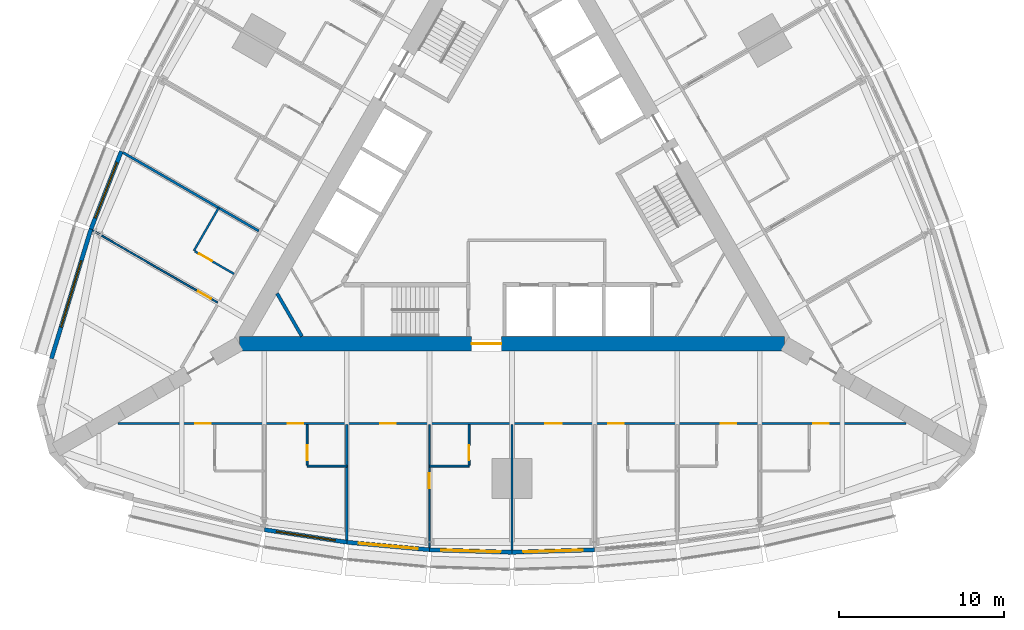
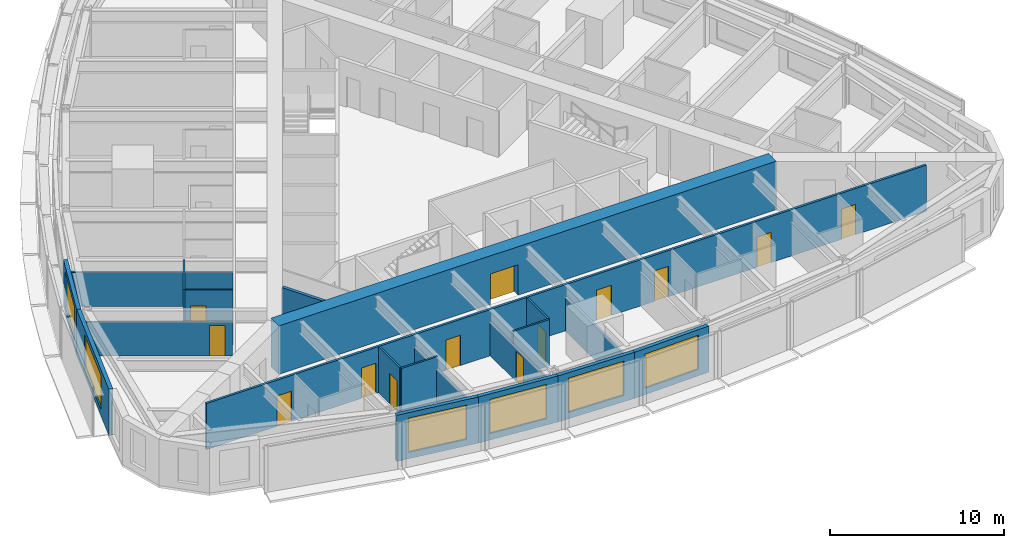
# One storey, part 8 of 14: 20 walls, 13 doors, 6 windows, 19 openings.
"""IFC4 building model written with IfcOpenShell, lengths in metres."""

from ifc_helpers import new_model, si_unit, direction, frame, frame_2d, origin, place, context, subcontext, project, spatial, rectangle, extrude, material, layer, layer_set, type_object, element, fill, save


model = new_model("IFC4")

# Units and contexts
model_context = context("Model", 3, precision=1e-05, world=origin(), true_north=direction((0.0, 1.0)))
body_context = subcontext(model_context, "Body", "Model", "MODEL_VIEW")
ifc_project = project(units=[si_unit("LENGTHUNIT", "METRE"), si_unit("AREAUNIT", "SQUARE_METRE"), si_unit("VOLUMEUNIT", "CUBIC_METRE"), si_unit("PLANEANGLEUNIT", "RADIAN"), si_unit("MASSUNIT", "GRAM", prefix="KILO")], contexts=[model_context])

# Site, building, storey
site_placement = place(None, origin())
site = spatial("IfcSite", under=ifc_project, at=site_placement, CompositionType="ELEMENT")
building_placement = place(site_placement, origin())
building = spatial("IfcBuilding", under=site, at=building_placement, Name="Trikona Tower", CompositionType="ELEMENT")
storey_placement = place(building_placement, frame((0.0, 0.0, 72.699951171875)))
storey = spatial("IfcBuildingStorey", under=building, at=storey_placement, Name="L18", CompositionType="ELEMENT", Elevation=72.699951171875)

# Wall
ifc_material_1 = material(Name="Metal stud and cement board", Category="gypsum")
ifc_layer_1 = layer(ifc_material_1, 0.1201171875)
ifc_layer_set_1 = layer_set([ifc_layer_1], Name="Bathroom wall 120")
wall_type_1 = type_object("IfcWallType", Name="Bathroom wall 120", PredefinedType="PLUMBINGWALL", material=ifc_layer_set_1)
wall_1_placement = place(storey_placement, frame((-12.39990234375, -16.92626953125, 0.0), z_axis=(0.0, 0.0, 1.0), x_axis=(1.0, 0.0, 0.0)))
element("IfcWall", 1, at=wall_1_placement, inside=storey, type_object=wall_type_1, Name="Bathroom wall 1802", PredefinedType="PLUMBINGWALL", context=body_context, shape_type="SweptSolid", body=[
    extrude(rectangle(XDim=2.39990234375, YDim=0.1201171875, at=frame_2d((1.199951171875, 0.0))), origin(), (0.0, 0.0, 1.0), 3.235107421875),
])

# Wall, opening, door
wall_2_placement = place(storey_placement, frame((-12.39990234375, -14.42626953125, 0.0), z_axis=(0.0, 0.0, 1.0), x_axis=(0.0, -1.0, 0.0)))
wall_2 = element("IfcWall", 2, at=wall_2_placement, inside=storey, type_object=wall_type_1, Name="Bathroom wall 1802", PredefinedType="PLUMBINGWALL", context=body_context, shape_type="SweptSolid", body=[
    extrude(rectangle(XDim=2.43994140625, YDim=0.1201171875, at=frame_2d((1.219970703125, 0.0))), origin(), (0.0, 0.0, 1.0), 3.235107421875),
])
opening_1_placement = place(wall_2_placement, frame((1.25, 0.0, 0.0)))
opening_1 = element("IfcOpeningElement", 3, at=opening_1_placement, cuts=wall_2, Name="Opening D2", PredefinedType="OPENING", context=body_context, shape_type="SweptSolid", body=[
    extrude(rectangle(XDim=0.89990234375, YDim=2.1298828125, at=frame_2d((0.449951171875, 1.06494140625))), frame((0.0, 0.070068359375, 0.0), z_axis=(0.0, -1.0, 0.0), x_axis=(1.0, 0.0, 0.0)), (0.0, 0.0, 1.0), 0.14013671875),
])
ifc_material_2 = material(Name="Steel door frame with solid-core timber leaf", Category="steel")
door_type_1 = type_object("IfcDoorType", Name="Bathroom door 900x2130", OperationType="SLIDING_TO_LEFT", PredefinedType="DOOR", material=ifc_material_2)
door_1_placement = place(opening_1_placement, origin())
door_1 = element("IfcDoor", 4, at=door_1_placement, inside=storey, type_object=door_type_1, Name="Bathroom door 1802", OperationType="SLIDING_TO_LEFT", OverallHeight=2.1298828125, OverallWidth=0.89990234375, PredefinedType="DOOR", context=body_context, shape_type="SweptSolid", body=[
    extrude(rectangle(XDim=0.89990234375, YDim=2.1298828125, at=frame_2d((0.449951171875, 1.06494140625))), frame((0.0, 0.02490234375, 0.0), z_axis=(0.0, -1.0, 0.0), x_axis=(1.0, 0.0, 0.0)), (0.0, 0.0, 1.0), 0.050048828125),
])
fill(opening_1, door_1)

# Wall
wall_3_placement = place(storey_placement, frame((-5.0, -16.92626953125, 0.0), z_axis=(0.0, 0.0, 1.0), x_axis=(1.0, 0.0, 0.0)))
element("IfcWall", 5, at=wall_3_placement, inside=storey, type_object=wall_type_1, Name="Bathroom wall 1803.1", PredefinedType="PLUMBINGWALL", context=body_context, shape_type="SweptSolid", body=[
    extrude(rectangle(XDim=2.39990234375, YDim=0.1201171875, at=frame_2d((1.199951171875, 0.0))), origin(), (0.0, 0.0, 1.0), 3.235107421875),
])

# Wall, opening, door
wall_4_placement = place(storey_placement, frame((-2.60009765625, -14.42626953125, 0.0), z_axis=(0.0, 0.0, 1.0), x_axis=(0.0, -1.0, 0.0)))
wall_4 = element("IfcWall", 6, at=wall_4_placement, inside=storey, type_object=wall_type_1, Name="Bathroom wall 1803.1", PredefinedType="PLUMBINGWALL", context=body_context, shape_type="SweptSolid", body=[
    extrude(rectangle(XDim=2.43994140625, YDim=0.1201171875, at=frame_2d((1.219970703125, 0.0))), origin(), (0.0, 0.0, 1.0), 3.235107421875),
])
opening_2_placement = place(wall_4_placement, frame((1.25, 0.0, 0.0)))
opening_2 = element("IfcOpeningElement", 7, at=opening_2_placement, cuts=wall_4, Name="Opening D2", PredefinedType="OPENING", context=body_context, shape_type="SweptSolid", body=[
    extrude(rectangle(XDim=0.89990234375, YDim=2.1298828125, at=frame_2d((0.449951171875, 1.06494140625))), frame((0.0, 0.070068359375, 0.0), z_axis=(0.0, -1.0, 0.0), x_axis=(1.0, 0.0, 0.0)), (0.0, 0.0, 1.0), 0.14013671875),
])
door_2_placement = place(opening_2_placement, origin())
door_2 = element("IfcDoor", 8, at=door_2_placement, inside=storey, type_object=door_type_1, Name="Bathroom door 1803.1", OperationType="SLIDING_TO_LEFT", OverallHeight=2.1298828125, OverallWidth=0.89990234375, PredefinedType="DOOR", context=body_context, shape_type="SweptSolid", body=[
    extrude(rectangle(XDim=0.89990234375, YDim=2.1298828125, at=frame_2d((0.449951171875, 1.06494140625))), frame((0.0, 0.02490234375, 0.0), z_axis=(0.0, -1.0, 0.0), x_axis=(1.0, 0.0, 0.0)), (0.0, 0.0, 1.0), 0.050048828125),
])
fill(opening_2, door_2)

# Wall
wall_5_placement = place(storey_placement, frame((-17.75341796875, -1.297119140625, 0.0), z_axis=(0.0, 0.0, 1.0), x_axis=(-0.499990139034, -0.866031096941, 0.0)))
element("IfcWall", 9, at=wall_5_placement, inside=storey, type_object=wall_type_1, Name="Bathroom wall 1816.1", PredefinedType="PLUMBINGWALL", context=body_context, shape_type="SweptSolid", body=[
    extrude(rectangle(XDim=3.0, YDim=0.1201171875, at=frame_2d((1.5, 0.0))), origin(), (0.0, 0.0, 1.0), 3.235107421875),
])

# Wall, opening, door
wall_6_placement = place(storey_placement, frame((-16.82861328125, -5.295166015625, 0.0), z_axis=(0.0, 0.0, 1.0), x_axis=(-0.866035715982, 0.499982138324, 0.0)))
wall_6 = element("IfcWall", 10, at=wall_6_placement, inside=storey, type_object=wall_type_1, Name="Bathroom wall 1816.1", PredefinedType="PLUMBINGWALL", context=body_context, shape_type="SweptSolid", body=[
    extrude(rectangle(XDim=2.73974609375, YDim=0.1201171875, at=frame_2d((1.369873046875, 0.0))), origin(), (0.0, 0.0, 1.0), 3.235107421875),
])
opening_3_placement = place(wall_6_placement, frame((1.550048828125, 0.0, 0.0)))
opening_3 = element("IfcOpeningElement", 11, at=opening_3_placement, cuts=wall_6, Name="Opening D2", PredefinedType="OPENING", context=body_context, shape_type="SweptSolid", body=[
    extrude(rectangle(XDim=0.89990234375, YDim=2.1298828125, at=frame_2d((0.449951171875, 1.06494140625))), frame((0.0, 0.070068359375, 0.0), z_axis=(0.0, -1.0, 0.0), x_axis=(1.0, 0.0, 0.0)), (0.0, 0.0, 1.0), 0.14013671875),
])
door_3_placement = place(opening_3_placement, origin())
door_3 = element("IfcDoor", 12, at=door_3_placement, inside=storey, type_object=door_type_1, Name="Bathroom door 1816.1", OperationType="SLIDING_TO_LEFT", OverallHeight=2.1298828125, OverallWidth=0.89990234375, PredefinedType="DOOR", context=body_context, shape_type="SweptSolid", body=[
    extrude(rectangle(XDim=0.89990234375, YDim=2.1298828125, at=frame_2d((0.449951171875, 1.06494140625))), frame((0.0, 0.02490234375, 0.0), z_axis=(0.0, -1.0, 0.0), x_axis=(1.0, 0.0, 0.0)), (0.0, 0.0, 1.0), 0.050048828125),
])
fill(opening_3, door_3)

ifc_material_3 = material(Name="Concrete f'c 10000 psi", Category="concrete")
ifc_layer_2 = layer(ifc_material_3, 0.89990234375)
ifc_layer_set_2 = layer_set([ifc_layer_2], Name="Core wall 900")
wall_type_2 = type_object("IfcWallType", Name="Core wall 900", PredefinedType="SHEAR", material=ifc_layer_set_2)
wall_7_placement = place(storey_placement, frame((-16.5, -9.5263671875, 0.0), z_axis=(0.0, 0.0, 1.0), x_axis=(1.0, 0.0, 0.0)))
wall_7 = element("IfcWall", 13, at=wall_7_placement, inside=storey, type_object=wall_type_2, Name="Core wall A", PredefinedType="SHEAR", context=body_context, shape_type="SweptSolid", body=[
    extrude(rectangle(XDim=33.0, YDim=0.89990234375, at=frame_2d((16.5, 0.0))), origin(), (0.0, 0.0, 1.0), 3.400146484375),
])
opening_4_placement = place(wall_7_placement, frame((14.050048828125, 0.0, 0.0)))
opening_4 = element("IfcOpeningElement", 14, at=opening_4_placement, cuts=wall_7, Name="Opening D6", PredefinedType="OPENING", context=body_context, shape_type="SweptSolid", body=[
    extrude(rectangle(XDim=1.800048828125, YDim=2.1298828125, at=frame_2d((0.89990234375, 1.06494140625))), frame((0.0, 0.4599609375, 0.0), z_axis=(0.0, -1.0, 0.0), x_axis=(1.0, 0.0, 0.0)), (0.0, 0.0, 1.0), 0.919921875),
])
ifc_material_4 = material(Name="Hollow metal door and frame", Category="steel")
door_type_2 = type_object("IfcDoorType", Name="Lobby door pair 1800x2130", OperationType="DOUBLE_DOOR_SINGLE_SWING", PredefinedType="DOOR", material=ifc_material_4)
door_4_placement = place(opening_4_placement, origin())
door_4 = element("IfcDoor", 15, at=door_4_placement, inside=storey, type_object=door_type_2, Name="Fire service lift lobby door", OperationType="DOUBLE_DOOR_SINGLE_SWING", OverallHeight=2.1298828125, OverallWidth=1.800048828125, PredefinedType="DOOR", context=body_context, shape_type="SweptSolid", body=[
    extrude(rectangle(XDim=1.800048828125, YDim=2.1298828125, at=frame_2d((0.89990234375, 1.06494140625))), frame((0.0, 0.02490234375, 0.0), z_axis=(0.0, -1.0, 0.0), x_axis=(1.0, 0.0, 0.0)), (0.0, 0.0, 1.0), 0.050048828125),
])
fill(opening_4, door_4)

# Wall, openings, doors
ifc_material_5 = material(Name="Metal stud and gypsum board, 1-hour", Category="gypsum")
ifc_layer_3 = layer(ifc_material_5, 0.14990234375)
ifc_layer_set_3 = layer_set([ifc_layer_3], Name="Corridor wall 150")
wall_type_3 = type_object("IfcWallType", Name="Corridor wall 150", PredefinedType="PARTITIONING", material=ifc_layer_set_3)
wall_8_placement = place(storey_placement, frame((-23.857177734375, -14.351318359375, 0.0), z_axis=(0.0, 0.0, 1.0), x_axis=(1.0, 0.0, 0.0)))
wall_8 = element("IfcWall", 16, at=wall_8_placement, inside=storey, type_object=wall_type_3, Name="Corridor wall L18-1", PredefinedType="PARTITIONING", context=body_context, shape_type="SweptSolid", body=[
    extrude(rectangle(XDim=47.71435546875, YDim=0.14990234375, at=frame_2d((23.857177734375, 0.0))), origin(), (0.0, 0.0, 1.0), 3.235107421875),
])
opening_5_placement = place(wall_8_placement, frame((4.68212890625, 0.0, 0.0)))
opening_5 = element("IfcOpeningElement", 17, at=opening_5_placement, cuts=wall_8, Name="Opening D1", PredefinedType="OPENING", context=body_context, shape_type="SweptSolid", body=[
    extrude(rectangle(XDim=0.949951171875, YDim=2.1298828125, at=frame_2d((0.47509765625, 1.06494140625))), frame((0.0, 0.0849609375, 0.0), z_axis=(0.0, -1.0, 0.0), x_axis=(1.0, 0.0, 0.0)), (0.0, 0.0, 1.0), 0.169921875),
])
opening_6_placement = place(wall_8_placement, frame((10.281982421875, 0.0, 0.0)))
opening_6 = element("IfcOpeningElement", 18, at=opening_6_placement, cuts=wall_8, Name="Opening D1", PredefinedType="OPENING", context=body_context, shape_type="SweptSolid", body=[
    extrude(rectangle(XDim=0.949951171875, YDim=2.1298828125, at=frame_2d((0.47509765625, 1.06494140625))), frame((0.0, 0.0849609375, 0.0), z_axis=(0.0, -1.0, 0.0), x_axis=(1.0, 0.0, 0.0)), (0.0, 0.0, 1.0), 0.169921875),
])
opening_7_placement = place(wall_8_placement, frame((15.882080078125, 0.0, 0.0)))
opening_7 = element("IfcOpeningElement", 19, at=opening_7_placement, cuts=wall_8, Name="Opening D1", PredefinedType="OPENING", context=body_context, shape_type="SweptSolid", body=[
    extrude(rectangle(XDim=0.949951171875, YDim=2.1298828125, at=frame_2d((0.47509765625, 1.06494140625))), frame((0.0, 0.0849609375, 0.0), z_axis=(0.0, -1.0, 0.0), x_axis=(1.0, 0.0, 0.0)), (0.0, 0.0, 1.0), 0.169921875),
])
opening_8_placement = place(wall_8_placement, frame((25.857177734375, 0.0, 0.0)))
opening_8 = element("IfcOpeningElement", 20, at=opening_8_placement, cuts=wall_8, Name="Opening D3", PredefinedType="OPENING", context=body_context, shape_type="SweptSolid", body=[
    extrude(rectangle(XDim=1.0, YDim=2.1298828125, at=frame_2d((0.5, 1.06494140625))), frame((0.0, 0.0849609375, 0.0), z_axis=(0.0, -1.0, 0.0), x_axis=(1.0, 0.0, 0.0)), (0.0, 0.0, 1.0), 0.169921875),
])
opening_9_placement = place(wall_8_placement, frame((29.68212890625, 0.0, 0.0)))
opening_9 = element("IfcOpeningElement", 21, at=opening_9_placement, cuts=wall_8, Name="Opening D1", PredefinedType="OPENING", context=body_context, shape_type="SweptSolid", body=[
    extrude(rectangle(XDim=0.949951171875, YDim=2.1298828125, at=frame_2d((0.47509765625, 1.06494140625))), frame((0.0, 0.0849609375, 0.0), z_axis=(0.0, -1.0, 0.0), x_axis=(1.0, 0.0, 0.0)), (0.0, 0.0, 1.0), 0.169921875),
])
opening_10_placement = place(wall_8_placement, frame((36.482177734375, 0.0, 0.0)))
opening_10 = element("IfcOpeningElement", 22, at=opening_10_placement, cuts=wall_8, Name="Opening D1", PredefinedType="OPENING", context=body_context, shape_type="SweptSolid", body=[
    extrude(rectangle(XDim=0.949951171875, YDim=2.1298828125, at=frame_2d((0.47509765625, 1.06494140625))), frame((0.0, 0.0849609375, 0.0), z_axis=(0.0, -1.0, 0.0), x_axis=(1.0, 0.0, 0.0)), (0.0, 0.0, 1.0), 0.169921875),
])
opening_11_placement = place(wall_8_placement, frame((42.08203125, 0.0, 0.0)))
opening_11 = element("IfcOpeningElement", 23, at=opening_11_placement, cuts=wall_8, Name="Opening D1", PredefinedType="OPENING", context=body_context, shape_type="SweptSolid", body=[
    extrude(rectangle(XDim=0.949951171875, YDim=2.1298828125, at=frame_2d((0.47509765625, 1.06494140625))), frame((0.0, 0.0849609375, 0.0), z_axis=(0.0, -1.0, 0.0), x_axis=(1.0, 0.0, 0.0)), (0.0, 0.0, 1.0), 0.169921875),
])
ifc_material_6 = material(Name="Steel door frame with solid-core timber leaf", Category="steel")
door_type_3 = type_object("IfcDoorType", Name="Guest room door 950x2130", OperationType="SINGLE_SWING_LEFT", PredefinedType="DOOR", material=ifc_material_6)
door_5_placement = place(opening_5_placement, origin())
door_5 = element("IfcDoor", 24, at=door_5_placement, inside=storey, type_object=door_type_3, Name="Room door 1801", OperationType="SINGLE_SWING_LEFT", OverallHeight=2.1298828125, OverallWidth=0.949951171875, PredefinedType="DOOR", context=body_context, shape_type="SweptSolid", body=[
    extrude(rectangle(XDim=0.949951171875, YDim=2.1298828125, at=frame_2d((0.47509765625, 1.06494140625))), frame((0.0, 0.02490234375, 0.0), z_axis=(0.0, -1.0, 0.0), x_axis=(1.0, 0.0, 0.0)), (0.0, 0.0, 1.0), 0.050048828125),
])
fill(opening_5, door_5)
door_6_placement = place(opening_6_placement, origin())
door_6 = element("IfcDoor", 25, at=door_6_placement, inside=storey, type_object=door_type_3, Name="Room door 1802", OperationType="SINGLE_SWING_RIGHT", OverallHeight=2.1298828125, OverallWidth=0.949951171875, PredefinedType="DOOR", context=body_context, shape_type="SweptSolid", body=[
    extrude(rectangle(XDim=0.949951171875, YDim=2.1298828125, at=frame_2d((0.47509765625, 1.06494140625))), frame((0.0, 0.02490234375, 0.0), z_axis=(0.0, -1.0, 0.0), x_axis=(1.0, 0.0, 0.0)), (0.0, 0.0, 1.0), 0.050048828125),
])
fill(opening_6, door_6)
door_7_placement = place(opening_7_placement, origin())
door_7 = element("IfcDoor", 26, at=door_7_placement, inside=storey, type_object=door_type_3, Name="Room door 1803", OperationType="SINGLE_SWING_LEFT", OverallHeight=2.1298828125, OverallWidth=0.949951171875, PredefinedType="DOOR", context=body_context, shape_type="SweptSolid", body=[
    extrude(rectangle(XDim=0.949951171875, YDim=2.1298828125, at=frame_2d((0.47509765625, 1.06494140625))), frame((0.0, 0.02490234375, 0.0), z_axis=(0.0, -1.0, 0.0), x_axis=(1.0, 0.0, 0.0)), (0.0, 0.0, 1.0), 0.050048828125),
])
fill(opening_7, door_7)
door_8_placement = place(opening_9_placement, origin())
door_8 = element("IfcDoor", 27, at=door_8_placement, inside=storey, type_object=door_type_3, Name="Room door 1804", OperationType="SINGLE_SWING_LEFT", OverallHeight=2.1298828125, OverallWidth=0.949951171875, PredefinedType="DOOR", context=body_context, shape_type="SweptSolid", body=[
    extrude(rectangle(XDim=0.949951171875, YDim=2.1298828125, at=frame_2d((0.47509765625, 1.06494140625))), frame((0.0, 0.02490234375, 0.0), z_axis=(0.0, -1.0, 0.0), x_axis=(1.0, 0.0, 0.0)), (0.0, 0.0, 1.0), 0.050048828125),
])
fill(opening_9, door_8)
door_9_placement = place(opening_10_placement, origin())
door_9 = element("IfcDoor", 28, at=door_9_placement, inside=storey, type_object=door_type_3, Name="Room door 1805", OperationType="SINGLE_SWING_RIGHT", OverallHeight=2.1298828125, OverallWidth=0.949951171875, PredefinedType="DOOR", context=body_context, shape_type="SweptSolid", body=[
    extrude(rectangle(XDim=0.949951171875, YDim=2.1298828125, at=frame_2d((0.47509765625, 1.06494140625))), frame((0.0, 0.02490234375, 0.0), z_axis=(0.0, -1.0, 0.0), x_axis=(1.0, 0.0, 0.0)), (0.0, 0.0, 1.0), 0.050048828125),
])
fill(opening_10, door_9)
door_10_placement = place(opening_11_placement, origin())
door_10 = element("IfcDoor", 29, at=door_10_placement, inside=storey, type_object=door_type_3, Name="Room door 1806", OperationType="SINGLE_SWING_LEFT", OverallHeight=2.1298828125, OverallWidth=0.949951171875, PredefinedType="DOOR", context=body_context, shape_type="SweptSolid", body=[
    extrude(rectangle(XDim=0.949951171875, YDim=2.1298828125, at=frame_2d((0.47509765625, 1.06494140625))), frame((0.0, 0.02490234375, 0.0), z_axis=(0.0, -1.0, 0.0), x_axis=(1.0, 0.0, 0.0)), (0.0, 0.0, 1.0), 0.050048828125),
])
fill(opening_11, door_10)
ifc_material_7 = material(Name="Steel door frame with solid-core timber leaf", Category="steel")
door_type_4 = type_object("IfcDoorType", Name="Room door 1000x2130", OperationType="SINGLE_SWING_LEFT", PredefinedType="DOOR", material=ifc_material_7)
door_11_placement = place(opening_8_placement, origin())
door_11 = element("IfcDoor", 30, at=door_11_placement, inside=storey, type_object=door_type_4, Name="Door Housekeeping pantry", OperationType="SINGLE_SWING_RIGHT", OverallHeight=2.1298828125, OverallWidth=1.0, PredefinedType="DOOR", context=body_context, shape_type="SweptSolid", body=[
    extrude(rectangle(XDim=1.0, YDim=2.1298828125, at=frame_2d((0.5, 1.06494140625))), frame((0.0, 0.02490234375, 0.0), z_axis=(0.0, -1.0, 0.0), x_axis=(1.0, 0.0, 0.0)), (0.0, 0.0, 1.0), 0.050048828125),
])
fill(opening_8, door_11)

# Wall, opening, window
ifc_material_8 = material(Name="Insulated precast concrete spandrel panel", Category="concrete")
ifc_layer_4 = layer(ifc_material_8, 0.25)
ifc_layer_set_4 = layer_set([ifc_layer_4], Name="Inner skin wall 250")
wall_type_4 = type_object("IfcWallType", Name="Inner skin wall 250", PredefinedType="STANDARD", material=ifc_layer_set_4)
wall_9_placement = place(storey_placement, frame((-14.981201171875, -20.779296875, 0.0), z_axis=(0.0, 0.0, 1.0), x_axis=(0.988615403399, -0.150464561152, 0.0)))
wall_9 = element("IfcWall", 31, at=wall_9_placement, inside=storey, type_object=wall_type_4, Name="External wall L18-01", PredefinedType="STANDARD", context=body_context, shape_type="SweptSolid", body=[
    extrude(rectangle(XDim=5.0576171875, YDim=0.25, at=frame_2d((2.52880859375, 0.0))), origin(), (0.0, 0.0, 1.0), 3.235107421875),
])
opening_12_placement = place(wall_9_placement, frame((0.728759765625, 0.0, 0.449951171875)))
opening_12 = element("IfcOpeningElement", 32, at=opening_12_placement, cuts=wall_9, Name="Opening W3624", PredefinedType="OPENING", context=body_context, shape_type="SweptSolid", body=[
    extrude(rectangle(XDim=3.60009765625, YDim=2.39990234375, at=frame_2d((1.800048828125, 1.199951171875))), frame((0.0, 0.135009765625, 0.0), z_axis=(0.0, -1.0, 0.0), x_axis=(1.0, 0.0, 0.0)), (0.0, 0.0, 1.0), 0.27001953125),
])
ifc_material_9 = material(Name="Aluminium-framed double glazing", Category="aluminium")
window_type_1 = type_object("IfcWindowType", Name="Window 3600x2400", PartitioningType="SINGLE_PANEL", PredefinedType="WINDOW", material=ifc_material_9)
window_1_placement = place(opening_12_placement, origin())
window_1 = element("IfcWindow", 33, at=window_1_placement, inside=storey, type_object=window_type_1, Name="Window 1802", OverallHeight=2.39990234375, OverallWidth=3.60009765625, PartitioningType="SINGLE_PANEL", PredefinedType="WINDOW", context=body_context, shape_type="SweptSolid", body=[
    extrude(rectangle(XDim=3.60009765625, YDim=2.39990234375, at=frame_2d((1.800048828125, 1.199951171875))), frame((0.0, 0.030029296875, 0.0), z_axis=(0.0, -1.0, 0.0), x_axis=(1.0, 0.0, 0.0)), (0.0, 0.0, 1.0), 0.06005859375),
])
fill(opening_12, window_1)

wall_10_placement = place(storey_placement, frame((-9.988525390625, -21.539306640625, 0.0), z_axis=(0.0, 0.0, 1.0), x_axis=(0.995857256774, -0.090930325692, 0.0)))
wall_10 = element("IfcWall", 34, at=wall_10_placement, inside=storey, type_object=wall_type_4, Name="External wall L18-02", PredefinedType="STANDARD", context=body_context, shape_type="SweptSolid", body=[
    extrude(rectangle(XDim=5.020751953125, YDim=0.25, at=frame_2d((2.51025390625, 0.0))), origin(), (0.0, 0.0, 1.0), 3.235107421875),
])
opening_13_placement = place(wall_10_placement, frame((0.71044921875, 0.0, 0.449951171875)))
opening_13 = element("IfcOpeningElement", 35, at=opening_13_placement, cuts=wall_10, Name="Opening W3624", PredefinedType="OPENING", context=body_context, shape_type="SweptSolid", body=[
    extrude(rectangle(XDim=3.60009765625, YDim=2.39990234375, at=frame_2d((1.800048828125, 1.199951171875))), frame((0.0, 0.135009765625, 0.0), z_axis=(0.0, -1.0, 0.0), x_axis=(1.0, 0.0, 0.0)), (0.0, 0.0, 1.0), 0.27001953125),
])
window_2_placement = place(opening_13_placement, origin())
window_2 = element("IfcWindow", 36, at=window_2_placement, inside=storey, type_object=window_type_1, Name="Window 1803", OverallHeight=2.39990234375, OverallWidth=3.60009765625, PartitioningType="SINGLE_PANEL", PredefinedType="WINDOW", context=body_context, shape_type="SweptSolid", body=[
    extrude(rectangle(XDim=3.60009765625, YDim=2.39990234375, at=frame_2d((1.800048828125, 1.199951171875))), frame((0.0, 0.030029296875, 0.0), z_axis=(0.0, -1.0, 0.0), x_axis=(1.0, 0.0, 0.0)), (0.0, 0.0, 1.0), 0.06005859375),
])
fill(opening_13, window_2)

wall_11_placement = place(storey_placement, frame((-4.99609375, -21.99560546875, 0.0), z_axis=(0.0, 0.0, 1.0), x_axis=(0.999537635046, -0.030405856769, 0.0)))
wall_11 = element("IfcWall", 37, at=wall_11_placement, inside=storey, type_object=wall_type_4, Name="External wall L18-03", PredefinedType="STANDARD", context=body_context, shape_type="SweptSolid", body=[
    extrude(rectangle(XDim=5.002197265625, YDim=0.25, at=frame_2d((2.5009765625, 0.0))), origin(), (0.0, 0.0, 1.0), 3.235107421875),
])
opening_14_placement = place(wall_11_placement, frame((0.701171875, 0.0, 0.449951171875)))
opening_14 = element("IfcOpeningElement", 38, at=opening_14_placement, cuts=wall_11, Name="Opening W3624", PredefinedType="OPENING", context=body_context, shape_type="SweptSolid", body=[
    extrude(rectangle(XDim=3.60009765625, YDim=2.39990234375, at=frame_2d((1.800048828125, 1.199951171875))), frame((0.0, 0.135009765625, 0.0), z_axis=(0.0, -1.0, 0.0), x_axis=(1.0, 0.0, 0.0)), (0.0, 0.0, 1.0), 0.27001953125),
])
window_3_placement = place(opening_14_placement, origin())
window_3 = element("IfcWindow", 39, at=window_3_placement, inside=storey, type_object=window_type_1, Name="Window 1803.1", OverallHeight=2.39990234375, OverallWidth=3.60009765625, PartitioningType="SINGLE_PANEL", PredefinedType="WINDOW", context=body_context, shape_type="SweptSolid", body=[
    extrude(rectangle(XDim=3.60009765625, YDim=2.39990234375, at=frame_2d((1.800048828125, 1.199951171875))), frame((0.0, 0.030029296875, 0.0), z_axis=(0.0, -1.0, 0.0), x_axis=(1.0, 0.0, 0.0)), (0.0, 0.0, 1.0), 0.06005859375),
])
fill(opening_14, window_3)

wall_12_placement = place(storey_placement, frame((-0.00390625, -22.147705078125, 0.0), z_axis=(0.0, 0.0, 1.0), x_axis=(0.999537635046, 0.030405856769, 0.0)))
wall_12 = element("IfcWall", 40, at=wall_12_placement, inside=storey, type_object=wall_type_4, Name="External wall L18-04", PredefinedType="STANDARD", context=body_context, shape_type="SweptSolid", body=[
    extrude(rectangle(XDim=5.002197265625, YDim=0.25, at=frame_2d((2.5009765625, 0.0))), origin(), (0.0, 0.0, 1.0), 3.235107421875),
])
opening_15_placement = place(wall_12_placement, frame((0.701171875, 0.0, 0.449951171875)))
opening_15 = element("IfcOpeningElement", 41, at=opening_15_placement, cuts=wall_12, Name="Opening W3624", PredefinedType="OPENING", context=body_context, shape_type="SweptSolid", body=[
    extrude(rectangle(XDim=3.60009765625, YDim=2.39990234375, at=frame_2d((1.800048828125, 1.199951171875))), frame((0.0, 0.135009765625, 0.0), z_axis=(0.0, -1.0, 0.0), x_axis=(1.0, 0.0, 0.0)), (0.0, 0.0, 1.0), 0.27001953125),
])
window_4_placement = place(opening_15_placement, origin())
window_4 = element("IfcWindow", 42, at=window_4_placement, inside=storey, type_object=window_type_1, Name="Window L18-HKP", OverallHeight=2.39990234375, OverallWidth=3.60009765625, PartitioningType="SINGLE_PANEL", PredefinedType="WINDOW", context=body_context, shape_type="SweptSolid", body=[
    extrude(rectangle(XDim=3.60009765625, YDim=2.39990234375, at=frame_2d((1.800048828125, 1.199951171875))), frame((0.0, 0.030029296875, 0.0), z_axis=(0.0, -1.0, 0.0), x_axis=(1.0, 0.0, 0.0)), (0.0, 0.0, 1.0), 0.06005859375),
])
fill(opening_15, window_4)

wall_13_placement = place(storey_placement, frame((-23.64501953125, 2.126220703125, 0.0), z_axis=(0.0, 0.0, 1.0), x_axis=(-0.364013463868, -0.931393685894, 0.0)))
wall_13 = element("IfcWall", 43, at=wall_13_placement, inside=storey, type_object=wall_type_4, Name="External wall L18-30", PredefinedType="STANDARD", context=body_context, shape_type="SweptSolid", body=[
    extrude(rectangle(XDim=5.0576171875, YDim=0.25, at=frame_2d((2.52880859375, 0.0))), origin(), (0.0, 0.0, 1.0), 3.235107421875),
])
opening_16_placement = place(wall_13_placement, frame((0.728759765625, 0.0, 0.449951171875)))
opening_16 = element("IfcOpeningElement", 44, at=opening_16_placement, cuts=wall_13, Name="Opening W3624", PredefinedType="OPENING", context=body_context, shape_type="SweptSolid", body=[
    extrude(rectangle(XDim=3.60009765625, YDim=2.39990234375, at=frame_2d((1.800048828125, 1.199951171875))), frame((0.0, 0.135009765625, 0.0), z_axis=(0.0, -1.0, 0.0), x_axis=(1.0, 0.0, 0.0)), (0.0, 0.0, 1.0), 0.27001953125),
])
window_5_placement = place(opening_16_placement, origin())
window_5 = element("IfcWindow", 45, at=window_5_placement, inside=storey, type_object=window_type_1, Name="Window 1816.1", OverallHeight=2.39990234375, OverallWidth=3.60009765625, PartitioningType="SINGLE_PANEL", PredefinedType="WINDOW", context=body_context, shape_type="SweptSolid", body=[
    extrude(rectangle(XDim=3.60009765625, YDim=2.39990234375, at=frame_2d((1.800048828125, 1.199951171875))), frame((0.0, 0.030029296875, 0.0), z_axis=(0.0, -1.0, 0.0), x_axis=(1.0, 0.0, 0.0)), (0.0, 0.0, 1.0), 0.06005859375),
])
fill(opening_16, window_5)

wall_14_placement = place(storey_placement, frame((-25.48291015625, -2.575439453125, 0.0), z_axis=(0.0, 0.0, 1.0), x_axis=(-0.2919790669, -0.956424709265, 0.0)))
wall_14 = element("IfcWall", 46, at=wall_14_placement, inside=storey, type_object=wall_type_4, Name="External wall L18-31", PredefinedType="STANDARD", context=body_context, shape_type="SweptSolid", body=[
    extrude(rectangle(XDim=8.211181640625, YDim=0.25, at=frame_2d((4.10546875, 0.0))), origin(), (0.0, 0.0, 1.0), 3.235107421875),
])
opening_17_placement = place(wall_14_placement, frame((2.005615234375, 0.0, 0.449951171875)))
opening_17 = element("IfcOpeningElement", 47, at=opening_17_placement, cuts=wall_14, Name="Opening W4224", PredefinedType="OPENING", context=body_context, shape_type="SweptSolid", body=[
    extrude(rectangle(XDim=4.199951171875, YDim=2.39990234375, at=frame_2d((2.10009765625, 1.199951171875))), frame((0.0, 0.135009765625, 0.0), z_axis=(0.0, -1.0, 0.0), x_axis=(1.0, 0.0, 0.0)), (0.0, 0.0, 1.0), 0.27001953125),
])
ifc_material_10 = material(Name="Aluminium-framed double glazing", Category="aluminium")
window_type_2 = type_object("IfcWindowType", Name="Window 4200x2400", PartitioningType="SINGLE_PANEL", PredefinedType="WINDOW", material=ifc_material_10)
window_6_placement = place(opening_17_placement, origin())
window_6 = element("IfcWindow", 48, at=window_6_placement, inside=storey, type_object=window_type_2, Name="Window 1816", OverallHeight=2.39990234375, OverallWidth=4.199951171875, PartitioningType="SINGLE_PANEL", PredefinedType="WINDOW", context=body_context, shape_type="SweptSolid", body=[
    extrude(rectangle(XDim=4.199951171875, YDim=2.39990234375, at=frame_2d((2.10009765625, 1.199951171875))), frame((0.0, 0.030029296875, 0.0), z_axis=(0.0, -1.0, 0.0), x_axis=(1.0, 0.0, 0.0)), (0.0, 0.0, 1.0), 0.06005859375),
])
fill(opening_17, window_6)

# Walls
ifc_material_11 = material(Name="Metal stud and gypsum board, 1-hour acoustic", Category="gypsum")
ifc_layer_5 = layer(ifc_material_11, 0.14990234375)
ifc_layer_set_5 = layer_set([ifc_layer_5], Name="Party wall 150")
wall_type_5 = type_object("IfcWallType", Name="Party wall 150", PredefinedType="PARTITIONING", material=ifc_layer_set_5)
wall_15_placement = place(storey_placement, frame((-10.0, -14.42626953125, 0.0), z_axis=(0.0, 0.0, 1.0), x_axis=(0.0, -1.0, 0.0)))
element("IfcWall", 49, at=wall_15_placement, inside=storey, type_object=wall_type_5, Name="Partition L18 F1 u-10", PredefinedType="PARTITIONING", context=body_context, shape_type="SweptSolid", body=[
    extrude(rectangle(XDim=6.984619140625, YDim=0.14990234375, at=frame_2d((3.4921875, 0.0))), origin(), (0.0, 0.0, 1.0), 2.38916015625),
])
wall_16_placement = place(storey_placement, frame((0.0, -14.42626953125, 0.0), z_axis=(0.0, 0.0, 1.0), x_axis=(0.0, -1.0, 0.0)))
element("IfcWall", 50, at=wall_16_placement, inside=storey, type_object=wall_type_5, Name="Partition L18 F1 u-1.03538e-30", PredefinedType="PARTITIONING", context=body_context, shape_type="SweptSolid", body=[
    extrude(rectangle(XDim=7.59619140625, YDim=0.14990234375, at=frame_2d((3.798095703125, 0.0))), origin(), (0.0, 0.0, 1.0), 2.38916015625),
])
wall_17_placement = place(storey_placement, frame((-15.32861328125, -2.697021484375, 0.0), z_axis=(0.0, 0.0, 1.0), x_axis=(-0.866018409083, 0.500012114982, 0.0)))
element("IfcWall", 51, at=wall_17_placement, inside=storey, type_object=wall_type_5, Name="Partition L18 F3 u10", PredefinedType="PARTITIONING", context=body_context, shape_type="SweptSolid", body=[
    extrude(rectangle(XDim=9.484619140625, YDim=0.14990234375, at=frame_2d((4.7421875, 0.0))), origin(), (0.0, 0.0, 1.0), 2.38916015625),
])
ifc_material_12 = material(Name="Concrete f'c 8000 psi", Category="concrete")
ifc_layer_6 = layer(ifc_material_12, 0.199951171875)
ifc_layer_set_6 = layer_set([ifc_layer_6], Name="Shaft wall 200")
wall_type_6 = type_object("IfcWallType", Name="Shaft wall 200", PredefinedType="SOLIDWALL", material=ifc_layer_set_6)
wall_18_placement = place(storey_placement, frame((-12.718505859375, -9.076416015625, 0.0), z_axis=(0.0, 0.0, 1.0), x_axis=(-0.499952404951, 0.866052881055, 0.0)))
element("IfcWall", 52, at=wall_18_placement, inside=storey, type_object=wall_type_6, Name="Riser wall L18-RS3", PredefinedType="SOLIDWALL", context=body_context, shape_type="SweptSolid", body=[
    extrude(rectangle(XDim=3.002197265625, YDim=0.199951171875, at=frame_2d((1.5009765625, 0.0))), origin(), (0.0, 0.0, 1.0), 3.235107421875),
])

# Wall, opening, door
ifc_material_13 = material(Name="Metal stud and gypsum board, acoustic", Category="gypsum")
ifc_layer_7 = layer(ifc_material_13, 0.10009765625)
ifc_layer_set_7 = layer_set([ifc_layer_7], Name="Suite partition 100")
wall_type_7 = type_object("IfcWallType", Name="Suite partition 100", PredefinedType="PARTITIONING", material=ifc_layer_set_7)
wall_19_placement = place(storey_placement, frame((-5.0, -14.42626953125, 0.0), z_axis=(0.0, 0.0, 1.0), x_axis=(0.0, -1.0, 0.0)))
wall_19 = element("IfcWall", 53, at=wall_19_placement, inside=storey, type_object=wall_type_7, Name="Suite partition L18 F1 u-5", PredefinedType="PARTITIONING", context=body_context, shape_type="SweptSolid", body=[
    extrude(rectangle(XDim=7.443115234375, YDim=0.10009765625, at=frame_2d((3.7216796875, 0.0))), origin(), (0.0, 0.0, 1.0), 2.38916015625),
])
opening_18_placement = place(wall_19_placement, frame((2.949951171875, 0.0, 0.0)))
opening_18 = element("IfcOpeningElement", 54, at=opening_18_placement, cuts=wall_19, Name="Opening D13", PredefinedType="OPENING", context=body_context, shape_type="SweptSolid", body=[
    extrude(rectangle(XDim=0.89990234375, YDim=2.1298828125, at=frame_2d((0.449951171875, 1.06494140625))), frame((0.0, 0.06005859375, 0.0), z_axis=(0.0, -1.0, 0.0), x_axis=(1.0, 0.0, 0.0)), (0.0, 0.0, 1.0), 0.1201171875),
])
ifc_material_14 = material(Name="Steel door frame with solid-core timber leaf", Category="steel")
door_type_5 = type_object("IfcDoorType", Name="Suite door 900x2130", OperationType="SINGLE_SWING_LEFT", PredefinedType="DOOR", material=ifc_material_14)
door_12_placement = place(opening_18_placement, origin())
door_12 = element("IfcDoor", 55, at=door_12_placement, inside=storey, type_object=door_type_5, Name="Suite door 1803", OperationType="SINGLE_SWING_LEFT", OverallHeight=2.1298828125, OverallWidth=0.89990234375, PredefinedType="DOOR", context=body_context, shape_type="SweptSolid", body=[
    extrude(rectangle(XDim=0.89990234375, YDim=2.1298828125, at=frame_2d((0.449951171875, 1.06494140625))), frame((0.0, 0.02490234375, 0.0), z_axis=(0.0, -1.0, 0.0), x_axis=(1.0, 0.0, 0.0)), (0.0, 0.0, 1.0), 0.050048828125),
])
fill(opening_18, door_12)

wall_20_placement = place(storey_placement, frame((-17.82861328125, -7.027099609375, 0.0), z_axis=(0.0, 0.0, 1.0), x_axis=(-0.866032659912, 0.499987431809, 0.0)))
wall_20 = element("IfcWall", 56, at=wall_20_placement, inside=storey, type_object=wall_type_7, Name="Suite partition L18 F3 u15", PredefinedType="PARTITIONING", context=body_context, shape_type="SweptSolid", body=[
    extrude(rectangle(XDim=8.719970703125, YDim=0.10009765625, at=frame_2d((4.35986328125, 0.0))), origin(), (0.0, 0.0, 1.0), 2.38916015625),
])
opening_19_placement = place(wall_20_placement, frame((0.449951171875, 0.0, 0.0)))
opening_19 = element("IfcOpeningElement", 57, at=opening_19_placement, cuts=wall_20, Name="Opening D13", PredefinedType="OPENING", context=body_context, shape_type="SweptSolid", body=[
    extrude(rectangle(XDim=0.89990234375, YDim=2.1298828125, at=frame_2d((0.449951171875, 1.06494140625))), frame((0.0, 0.06005859375, 0.0), z_axis=(0.0, -1.0, 0.0), x_axis=(1.0, 0.0, 0.0)), (0.0, 0.0, 1.0), 0.1201171875),
])
door_13_placement = place(opening_19_placement, origin())
door_13 = element("IfcDoor", 58, at=door_13_placement, inside=storey, type_object=door_type_5, Name="Suite door 1816", OperationType="SINGLE_SWING_LEFT", OverallHeight=2.1298828125, OverallWidth=0.89990234375, PredefinedType="DOOR", context=body_context, shape_type="SweptSolid", body=[
    extrude(rectangle(XDim=0.89990234375, YDim=2.1298828125, at=frame_2d((0.449951171875, 1.06494140625))), frame((0.0, 0.02490234375, 0.0), z_axis=(0.0, -1.0, 0.0), x_axis=(1.0, 0.0, 0.0)), (0.0, 0.0, 1.0), 0.050048828125),
])
fill(opening_19, door_13)

save(model, "model.ifc")
